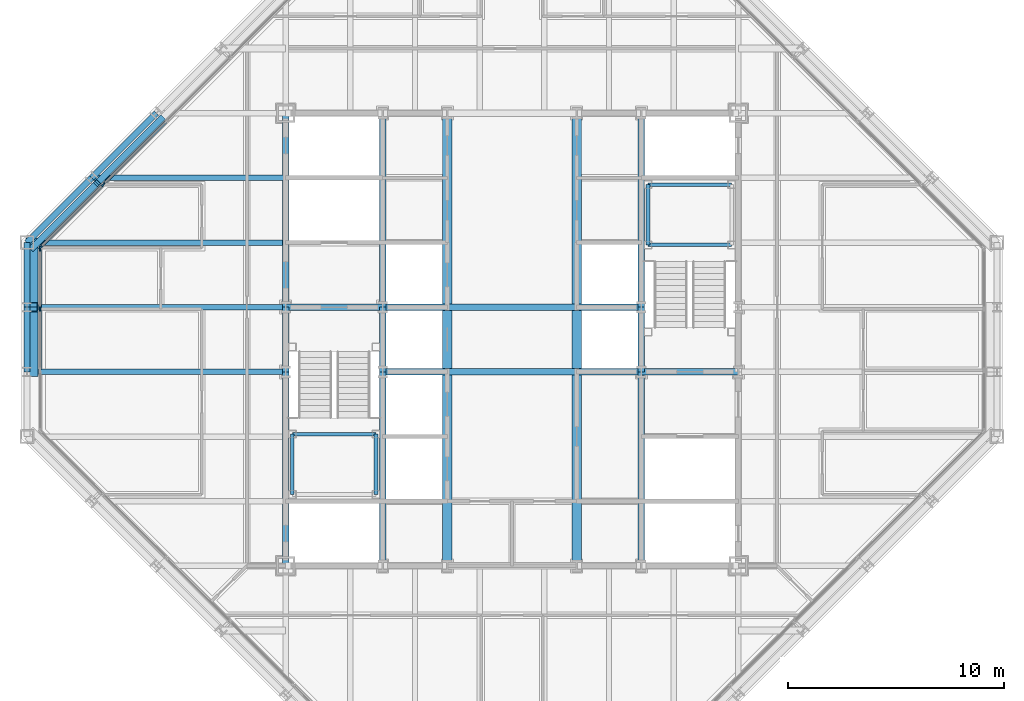
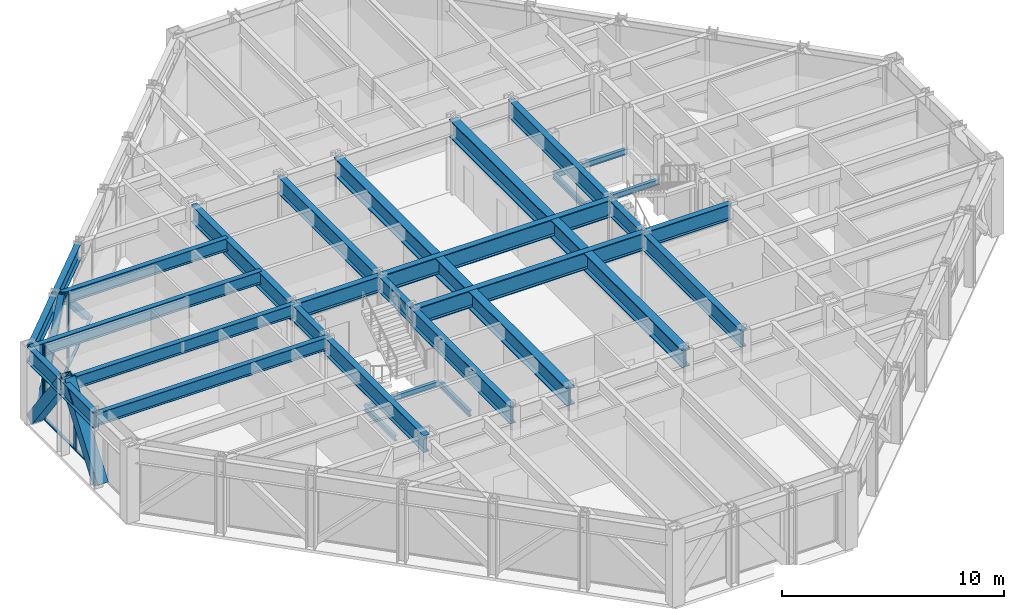
# One storey, part 6 of 15: 33 beams, 12 members, 2 elements without a shape of their own.
"""IFC4 building model written with IfcOpenShell, lengths in metres."""

from ifc_helpers import new_model, si_unit, direction, frame, origin, origin_2d, place, context, subcontext, project, spatial, rectangle, hollow_rectangle, i_section, extrude, material, layer, layer_set, material_profile, profile_set, type_object, element, aggregate, save


model = new_model("IFC4")

# Units and contexts
model_context = context("Model", 3, precision=1e-05, world=origin(), true_north=direction((0.0, 1.0)))
body_context = subcontext(model_context, "Body", "Model", "MODEL_VIEW")
ifc_project = project(units=[si_unit("LENGTHUNIT", "METRE"), si_unit("AREAUNIT", "SQUARE_METRE"), si_unit("VOLUMEUNIT", "CUBIC_METRE"), si_unit("PLANEANGLEUNIT", "RADIAN"), si_unit("MASSUNIT", "GRAM", prefix="KILO")], contexts=[model_context])

# Site, building, storey
site_placement = place(None, origin())
site = spatial("IfcSite", under=ifc_project, at=site_placement, CompositionType="ELEMENT")
building_placement = place(site_placement, origin())
building = spatial("IfcBuilding", under=site, at=building_placement, Name="Chuquiago Exchange Tower", CompositionType="ELEMENT")
storey_placement = place(building_placement, frame((0.0, 0.0, 266.39990234375)))
storey = spatial("IfcBuildingStorey", under=building, at=storey_placement, Name="L59", CompositionType="ELEMENT", Elevation=266.39990234375)

# Beams
ifc_material_1 = material(Name="Steel ASTM A992", Category="steel")
ifc_material_profile_1 = material_profile(ifc_material_1, i_section(OverallWidth=0.25390625, OverallDepth=0.683349609375, WebThickness=0.012451171875, FlangeThickness=0.018798828125, at=origin_2d()), Name="W27X94")
ifc_profile_set_1 = profile_set([ifc_material_profile_1], Name="Steel ASTM A992")
beam_type_1 = type_object("IfcBeamType", Name="B1 W27X94", PredefinedType="BEAM", material=ifc_profile_set_1)
for number, where, z_axis, x_axis, name in (
    (1, (12.0, 21.0, 3.698486328125), (-1.0, 0.0, 0.0), (0.0, -1.0, 0.0), "FB-L60-infill-12_21--0_21-0"),
    (2, (12.0, 24.0, 3.698486328125), (-1.0, 0.0, 0.0), (0.0, -1.0, 0.0), "FB-L60-infill-12_24--0_24-0"),
    (3, (12.0, 27.0, 3.698486328125), (-1.0, 0.0, 0.0), (0.0, -1.0, 0.0), "FB-L60-infill-12_27--0_27-0"),
):
    element("IfcBeam", number, at=place(storey_placement, frame(where, z_axis=z_axis, x_axis=x_axis)), inside=storey, type_object=beam_type_1, Name=name, PredefinedType="BEAM", context=body_context, shape_type="SweptSolid", body=[
        extrude(i_section(OverallWidth=0.25390625, OverallDepth=0.683349609375, WebThickness=0.012451171875, FlangeThickness=0.018798828125, at=origin_2d()), origin(), (0.0, 0.0, 1.0), 12.0),
    ])
beam_1_placement = place(storey_placement, frame((12.0, 30.0, 3.698486328125), z_axis=(-1.0, 0.0, 0.0), x_axis=(0.0, -1.0, 0.0)))
element("IfcBeam", 4, at=beam_1_placement, inside=storey, type_object=beam_type_1, Name="FB-L60-infill-12_30-3_30-0", PredefinedType="BEAM", context=body_context, shape_type="SweptSolid", body=[
    extrude(i_section(OverallWidth=0.25390625, OverallDepth=0.683349609375, WebThickness=0.012451171875, FlangeThickness=0.018798828125, at=origin_2d()), origin(), (0.0, 0.0, 1.0), 9.0),
])
ifc_material_2 = material(Name="Steel ASTM A992", Category="steel")
ifc_material_profile_2 = material_profile(ifc_material_2, i_section(OverallWidth=0.307373046875, OverallDepth=0.927001953125, WebThickness=0.01953125, FlangeThickness=0.031982421875, at=origin_2d()), Name="W36X194")
ifc_profile_set_2 = profile_set([ifc_material_profile_2], Name="Steel ASTM A992")
beam_type_2 = type_object("IfcBeamType", Name="B10 W36X194", PredefinedType="BEAM", material=ifc_profile_set_2)
for number, where, z_axis, x_axis, name in (
    (5, (12.0, 12.0, 3.576416015625), (0.0, 1.0, 0.0), (-1.0, 0.0, 0.0), "CB-L60-12_12-12_21"),
    (6, (12.0, 24.0, 3.576416015625), (0.0, 1.0, 0.0), (-1.0, 0.0, 0.0), "CB-L60-12_24-12_33"),
    (7, (16.5, 12.0, 3.576416015625), (0.0, 1.0, 0.0), (-1.0, 0.0, 0.0), "CB-L60-16.5_12-16.5_21"),
    (8, (16.5, 24.0, 3.576416015625), (0.0, 1.0, 0.0), (-1.0, 0.0, 0.0), "CB-L60-16.5_24-16.5_33"),
    (9, (28.5, 12.0, 3.576416015625), (0.0, 1.0, 0.0), (-1.0, 0.0, 0.0), "CB-L60-28.5_12-28.5_21"),
    (10, (28.5, 24.0, 3.576416015625), (0.0, 1.0, 0.0), (-1.0, 0.0, 0.0), "CB-L60-28.5_24-28.5_33"),
):
    element("IfcBeam", number, at=place(storey_placement, frame(where, z_axis=z_axis, x_axis=x_axis)), inside=storey, type_object=beam_type_2, Name=name, PredefinedType="BEAM", context=body_context, shape_type="SweptSolid", body=[
        extrude(i_section(OverallWidth=0.307373046875, OverallDepth=0.927001953125, WebThickness=0.01953125, FlangeThickness=0.031982421875, at=origin_2d()), origin(), (0.0, 0.0, 1.0), 9.0),
    ])
ifc_material_3 = material(Name="Steel ASTM A992", Category="steel")
ifc_material_profile_3 = material_profile(ifc_material_3, i_section(OverallWidth=0.309814453125, OverallDepth=0.949951171875, WebThickness=0.0244140625, FlangeThickness=0.0439453125, at=origin_2d()), Name="W36X256")
ifc_profile_set_3 = profile_set([ifc_material_profile_3], Name="Steel ASTM A992")
beam_type_3 = type_object("IfcBeamType", Name="B11 W36X256", PredefinedType="BEAM", material=ifc_profile_set_3)
for number, where, z_axis, x_axis, name in (
    (11, (16.5, 21.0, 3.565185546875), (1.0, 0.0, 0.0), (0.0, 1.0, 0.0), "CB-L60-16.5_21-28.5_21"),
    (12, (16.5, 24.0, 3.565185546875), (1.0, 0.0, 0.0), (0.0, 1.0, 0.0), "CB-L60-16.5_24-28.5_24"),
):
    element("IfcBeam", number, at=place(storey_placement, frame(where, z_axis=z_axis, x_axis=x_axis)), inside=storey, type_object=beam_type_3, Name=name, PredefinedType="BEAM", context=body_context, shape_type="SweptSolid", body=[
        extrude(i_section(OverallWidth=0.309814453125, OverallDepth=0.949951171875, WebThickness=0.0244140625, FlangeThickness=0.0439453125, at=origin_2d()), origin(), (0.0, 0.0, 1.0), 12.0),
    ])
ifc_material_4 = material(Name="Steel ASTM A992", Category="steel")
ifc_material_profile_4 = material_profile(ifc_material_4, i_section(OverallWidth=0.4267578125, OverallDepth=0.975341796875, WebThickness=0.031005859375, FlangeThickness=0.055908203125, at=origin_2d()), Name="W36X395")
ifc_profile_set_4 = profile_set([ifc_material_profile_4], Name="Steel ASTM A992")
beam_type_4 = type_object("IfcBeamType", Name="B12 W36X395", PredefinedType="BEAM", material=ifc_profile_set_4)
beam_2_placement = place(storey_placement, frame((19.5, 12.0, 3.552490234375), z_axis=(0.0, 1.0, 0.0), x_axis=(-1.0, 0.0, 0.0)))
element("IfcBeam", 13, at=beam_2_placement, inside=storey, type_object=beam_type_4, Name="CB-L60-19.5_12-19.5_20.8451", PredefinedType="BEAM", context=body_context, shape_type="SweptSolid", body=[
    extrude(i_section(OverallWidth=0.4267578125, OverallDepth=0.975341796875, WebThickness=0.031005859375, FlangeThickness=0.055908203125, at=origin_2d()), origin(), (0.0, 0.0, 1.0), 8.84521484375),
])
beam_3_placement = place(storey_placement, frame((19.5, 21.15478515625, 3.552490234375), z_axis=(0.0, 1.0, 0.0), x_axis=(-1.0, 0.0, 0.0)))
element("IfcBeam", 14, at=beam_3_placement, inside=storey, type_object=beam_type_4, Name="CB-L60-19.5_21.1549-19.5_23.8451", PredefinedType="BEAM", context=body_context, shape_type="SweptSolid", body=[
    extrude(i_section(OverallWidth=0.4267578125, OverallDepth=0.975341796875, WebThickness=0.031005859375, FlangeThickness=0.055908203125, at=origin_2d()), origin(), (0.0, 0.0, 1.0), 2.6904296875),
])
for number, where, z_axis, x_axis, name in (
    (15, (19.5, 24.15478515625, 3.552490234375), (0.0, 1.0, 0.0), (-1.0, 0.0, 0.0), "CB-L60-19.5_24.1549-19.5_33"),
    (16, (25.5, 12.0, 3.552490234375), (0.0, 1.0, 0.0), (-1.0, 0.0, 0.0), "CB-L60-25.5_12-25.5_20.8451"),
):
    element("IfcBeam", number, at=place(storey_placement, frame(where, z_axis=z_axis, x_axis=x_axis)), inside=storey, type_object=beam_type_4, Name=name, PredefinedType="BEAM", context=body_context, shape_type="SweptSolid", body=[
        extrude(i_section(OverallWidth=0.4267578125, OverallDepth=0.975341796875, WebThickness=0.031005859375, FlangeThickness=0.055908203125, at=origin_2d()), origin(), (0.0, 0.0, 1.0), 8.84521484375),
    ])
beam_4_placement = place(storey_placement, frame((25.5, 21.15478515625, 3.552490234375), z_axis=(0.0, 1.0, 0.0), x_axis=(-1.0, 0.0, 0.0)))
element("IfcBeam", 17, at=beam_4_placement, inside=storey, type_object=beam_type_4, Name="CB-L60-25.5_21.1549-25.5_23.8451", PredefinedType="BEAM", context=body_context, shape_type="SweptSolid", body=[
    extrude(i_section(OverallWidth=0.4267578125, OverallDepth=0.975341796875, WebThickness=0.031005859375, FlangeThickness=0.055908203125, at=origin_2d()), origin(), (0.0, 0.0, 1.0), 2.6904296875),
])
beam_5_placement = place(storey_placement, frame((25.5, 24.15478515625, 3.552490234375), z_axis=(0.0, 1.0, 0.0), x_axis=(-1.0, 0.0, 0.0)))
element("IfcBeam", 18, at=beam_5_placement, inside=storey, type_object=beam_type_4, Name="CB-L60-25.5_24.1549-25.5_33", PredefinedType="BEAM", context=body_context, shape_type="SweptSolid", body=[
    extrude(i_section(OverallWidth=0.4267578125, OverallDepth=0.975341796875, WebThickness=0.031005859375, FlangeThickness=0.055908203125, at=origin_2d()), origin(), (0.0, 0.0, 1.0), 8.84521484375),
])
ifc_material_5 = material(Name="Steel ASTM A992", Category="steel")
ifc_material_profile_5 = material_profile(ifc_material_5, i_section(OverallWidth=0.2919921875, OverallDepth=0.8583984375, WebThickness=0.01708984375, FlangeThickness=0.031005859375, at=origin_2d()), Name="W33X169")
ifc_profile_set_5 = profile_set([ifc_material_profile_5], Name="Steel ASTM A992")
beam_type_5 = type_object("IfcBeamType", Name="B3 W33X169", PredefinedType="BEAM", material=ifc_profile_set_5)
for number, where, z_axis, x_axis, name in (
    (19, (12.0, 21.0, 3.61083984375), (0.0, 1.0, 0.0), (-1.0, 0.0, 0.0), "CB-L60-12_21-12_24"),
    (20, (16.5, 21.0, 3.61083984375), (0.0, 1.0, 0.0), (-1.0, 0.0, 0.0), "CB-L60-16.5_21-16.5_24"),
    (21, (28.5, 21.0, 3.61083984375), (0.0, 1.0, 0.0), (-1.0, 0.0, 0.0), "CB-L60-28.5_21-28.5_24"),
):
    element("IfcBeam", number, at=place(storey_placement, frame(where, z_axis=z_axis, x_axis=x_axis)), inside=storey, type_object=beam_type_5, Name=name, PredefinedType="BEAM", context=body_context, shape_type="SweptSolid", body=[
        extrude(i_section(OverallWidth=0.2919921875, OverallDepth=0.8583984375, WebThickness=0.01708984375, FlangeThickness=0.031005859375, at=origin_2d()), origin(), (0.0, 0.0, 1.0), 3.0),
    ])
for number, where, z_axis, x_axis, name in (
    (22, (28.5, 21.0, 3.61083984375), (1.0, 0.0, 0.0), (0.0, 1.0, 0.0), "CB-L60-28.5_21-33_21"),
    (23, (12.0, 24.0, 3.61083984375), (1.0, 0.0, 0.0), (0.0, 1.0, 0.0), "CB-L60-12_24-16.5_24"),
):
    element("IfcBeam", number, at=place(storey_placement, frame(where, z_axis=z_axis, x_axis=x_axis)), inside=storey, type_object=beam_type_5, Name=name, PredefinedType="BEAM", context=body_context, shape_type="SweptSolid", body=[
        extrude(i_section(OverallWidth=0.2919921875, OverallDepth=0.8583984375, WebThickness=0.01708984375, FlangeThickness=0.031005859375, at=origin_2d()), origin(), (0.0, 0.0, 1.0), 4.5),
    ])

# Curtain wall, members
ifc_material_6 = material(Name="Aluminium curtain wall system", Category="aluminium")
ifc_layer_1 = layer(ifc_material_6, 0.22509765625)
ifc_layer_set_1 = layer_set([ifc_layer_1], Name="CW2 office curtain wall")
curtain_wall_type_1 = type_object("IfcCurtainWallType", Name="CW2 office curtain wall", PredefinedType="NOTDEFINED", material=ifc_layer_set_1)
curtain_wall_1_placement = place(storey_placement, origin())
curtain_wall_1 = element("IfcCurtainWall", 24, at=curtain_wall_1_placement, inside=storey, type_object=curtain_wall_type_1, Name="CW2 curtain wall L59", PredefinedType="NOTDEFINED")
ifc_material_7 = material(Name="Aluminium mullion, pale anodised", Category="aluminium")
ifc_material_profile_6 = material_profile(ifc_material_7, rectangle(XDim=0.06494140625, YDim=0.22509765625, at=origin_2d()), Name="AL 65x225")
ifc_profile_set_6 = profile_set([ifc_material_profile_6], Name="Aluminium mullion, pale anodised")
member_type_1 = type_object("IfcMemberType", Name="CW2-M mullion 65x225", PredefinedType="MULLION", material=ifc_profile_set_6)
member_1_placement = place(storey_placement, frame((0.60009765625, 26.718994140625, 0.0), z_axis=(0.0, 0.0, 1.0), x_axis=(1.0, 0.0, 0.0)))
member_1 = element("IfcMember", 25, at=member_1_placement, type_object=member_type_1, Name="CW2 mullion 1", PredefinedType="MULLION", context=body_context, shape_type="SweptSolid", body=[
    extrude(rectangle(XDim=0.06494140625, YDim=0.22509765625, at=origin_2d()), origin(), (0.0, 0.0, 1.0), 4.0400390625),
])
member_2_placement = place(storey_placement, frame((0.60009765625, 23.917236328125, 0.0), z_axis=(0.0, 0.0, 1.0), x_axis=(1.0, 0.0, 0.0)))
member_2 = element("IfcMember", 26, at=member_2_placement, type_object=member_type_1, Name="CW2 mullion 2", PredefinedType="MULLION", context=body_context, shape_type="SweptSolid", body=[
    extrude(rectangle(XDim=0.06494140625, YDim=0.22509765625, at=origin_2d()), origin(), (0.0, 0.0, 1.0), 4.0400390625),
])
ifc_material_8 = material(Name="Aluminium transom, pale anodised", Category="aluminium")
ifc_material_profile_7 = material_profile(ifc_material_8, rectangle(XDim=0.139892578125, YDim=0.06494140625, at=origin_2d()), Name="AL 140x65")
ifc_profile_set_7 = profile_set([ifc_material_profile_7], Name="Aluminium transom, pale anodised")
member_type_2 = type_object("IfcMemberType", Name="CW2-T transom 65x140", PredefinedType="MULLION", material=ifc_profile_set_7)
member_3_placement = place(storey_placement, frame((0.60009765625, 26.6865234375, 0.03271484375), z_axis=(0.0, -1.0, 0.0), x_axis=(1.0, 0.0, 0.0)))
member_3 = element("IfcMember", 27, at=member_3_placement, type_object=member_type_2, Name="CW2 transom 1.1", PredefinedType="MULLION", context=body_context, shape_type="SweptSolid", body=[
    extrude(rectangle(XDim=0.139892578125, YDim=0.06494140625, at=origin_2d()), origin(), (0.0, 0.0, 1.0), 2.73681640625),
])
member_4_placement = place(storey_placement, frame((0.60009765625, 23.884765625, 0.03271484375), z_axis=(0.0, -1.0, 0.0), x_axis=(1.0, 0.0, 0.0)))
member_4 = element("IfcMember", 28, at=member_4_placement, type_object=member_type_2, Name="CW2 transom 2.1", PredefinedType="MULLION", context=body_context, shape_type="SweptSolid", body=[
    extrude(rectangle(XDim=0.139892578125, YDim=0.06494140625, at=origin_2d()), origin(), (0.0, 0.0, 1.0), 2.76953125),
])
aggregate(curtain_wall_1, [member_1, member_2, member_3, member_4])

ifc_material_9 = material(Name="Aluminium curtain wall system", Category="aluminium")
ifc_layer_2 = layer(ifc_material_9, 0.199951171875)
ifc_layer_set_2 = layer_set([ifc_layer_2], Name="CW3 facet curtain wall")
curtain_wall_type_2 = type_object("IfcCurtainWallType", Name="CW3 facet curtain wall", PredefinedType="NOTDEFINED", material=ifc_layer_set_2)
curtain_wall_2_placement = place(storey_placement, origin())
curtain_wall_2 = element("IfcCurtainWall", 29, at=curtain_wall_2_placement, inside=storey, type_object=curtain_wall_type_2, Name="CW3 curtain wall L59", PredefinedType="NOTDEFINED")
ifc_material_10 = material(Name="Aluminium mullion, pale anodised", Category="aluminium")
ifc_material_profile_8 = material_profile(ifc_material_10, rectangle(XDim=0.06494140625, YDim=0.199951171875, at=origin_2d()), Name="AL 65x200")
ifc_profile_set_8 = profile_set([ifc_material_profile_8], Name="Aluminium mullion, pale anodised")
member_type_3 = type_object("IfcMemberType", Name="CW3-M mullion 65x200", PredefinedType="MULLION", material=ifc_profile_set_8)
member_5_placement = place(storey_placement, frame((3.54150390625, 29.69287109375, 0.0), z_axis=(0.0, 0.0, 1.0), x_axis=(0.707106781187, -0.707106781187, 0.0)))
member_5 = element("IfcMember", 30, at=member_5_placement, type_object=member_type_3, Name="CW3 mullion 6", PredefinedType="MULLION", context=body_context, shape_type="SweptSolid", body=[
    extrude(rectangle(XDim=0.06494140625, YDim=0.199951171875, at=origin_2d()), origin(), (0.0, 0.0, 1.0), 4.0400390625),
])
member_6_placement = place(storey_placement, frame((0.623046875, 26.7744140625, 0.0), z_axis=(0.0, 0.0, 1.0), x_axis=(0.707106781187, -0.707106781187, 0.0)))
member_6 = element("IfcMember", 31, at=member_6_placement, type_object=member_type_3, Name="CW3 mullion 7", PredefinedType="MULLION", context=body_context, shape_type="SweptSolid", body=[
    extrude(rectangle(XDim=0.06494140625, YDim=0.199951171875, at=origin_2d()), origin(), (0.0, 0.0, 1.0), 4.0400390625),
])
ifc_material_11 = material(Name="Aluminium transom, pale anodised", Category="aluminium")
ifc_material_profile_9 = material_profile(ifc_material_11, rectangle(XDim=0.139892578125, YDim=0.06494140625, at=origin_2d()), Name="AL 140x65")
ifc_profile_set_9 = profile_set([ifc_material_profile_9], Name="Aluminium transom, pale anodised")
member_type_4 = type_object("IfcMemberType", Name="CW3-T transom 65x140", PredefinedType="MULLION", material=ifc_profile_set_9)
member_7_placement = place(storey_placement, frame((6.4599609375, 32.611328125, 0.03271484375), z_axis=(-0.707106781187, -0.707106781187, 0.0), x_axis=(0.707106781187, -0.707106781187, 0.0)))
member_7 = element("IfcMember", 32, at=member_7_placement, type_object=member_type_4, Name="CW3 transom 5.1", PredefinedType="MULLION", context=body_context, shape_type="SweptSolid", body=[
    extrude(rectangle(XDim=0.139892578125, YDim=0.06494140625, at=origin_2d()), origin(), (0.0, 0.0, 1.0), 4.094970703125),
])
member_8_placement = place(storey_placement, frame((3.5185546875, 29.669921875, 0.03271484375), z_axis=(-0.707106781187, -0.707106781187, 0.0), x_axis=(0.707106781187, -0.707106781187, 0.0)))
member_8 = element("IfcMember", 33, at=member_8_placement, type_object=member_type_4, Name="CW3 transom 6.1", PredefinedType="MULLION", context=body_context, shape_type="SweptSolid", body=[
    extrude(rectangle(XDim=0.139892578125, YDim=0.06494140625, at=origin_2d()), origin(), (0.0, 0.0, 1.0), 4.0625),
])
aggregate(curtain_wall_2, [member_5, member_6, member_7, member_8])

# Members
ifc_material_12 = material(Name="Steel ASTM A500 Grade C", Category="steel")
ifc_material_profile_10 = material_profile(ifc_material_12, hollow_rectangle(XDim=0.3046875, YDim=0.3046875, WallThickness=0.0146484375, at=origin_2d()), Name="HSS12X12X5/8")
ifc_profile_set_10 = profile_set([ifc_material_profile_10], Name="Steel ASTM A500 Grade C")
member_type_5 = type_object("IfcMemberType", Name="LB3 HSS12X12X5/8", PredefinedType="BRACE", material=ifc_profile_set_10)
for number, where, z_axis, x_axis, name in (
    (34, (6.249267578125, 32.750732421875, 0.0), (-0.512077265487, -0.512077265487, 0.689604051861), (0.707106781187, -0.707106781187, 0.0), "LB-L59-6_33-3_30"),
    (35, (0.249267578125, 26.750732421875, 0.0), (0.512077265487, 0.512077265487, 0.689604051861), (-0.707106781187, 0.707106781187, 0.0), "LB-L59-3_30-0_27"),
):
    element("IfcMember", number, at=place(storey_placement, frame(where, z_axis=z_axis, x_axis=x_axis)), inside=storey, type_object=member_type_5, Name=name, PredefinedType="BRACE", context=body_context, shape_type="SweptSolid", body=[
        extrude(hollow_rectangle(XDim=0.3046875, YDim=0.3046875, WallThickness=0.0146484375, at=origin_2d()), origin(), (0.0, 0.0, 1.0), 5.8583984375),
    ])

# Beams
ifc_material_13 = material(Name="Steel ASTM A992", Category="steel")
ifc_material_profile_11 = material_profile(ifc_material_13, i_section(OverallWidth=0.164794921875, OverallDepth=0.309814453125, WebThickness=0.005859375, FlangeThickness=0.009765625, at=origin_2d()), Name="W12X26")
ifc_profile_set_11 = profile_set([ifc_material_profile_11], Name="Steel ASTM A992")
beam_type_6 = type_object("IfcBeamType", Name="LS1 W12X26", PredefinedType="BEAM", material=ifc_profile_set_11)
for number, where, z_axis, x_axis, name in (
    (36, (12.31005859375, 15.31005859375, 1.7451171875), (0.0, 1.0, 0.0), (-1.0, 0.0, 0.0), "Stair ST1 L59 landing 1 stringer"),
    (37, (16.18994140625, 15.31005859375, 1.7451171875), (0.0, 1.0, 0.0), (-1.0, 0.0, 0.0), "Stair ST1 L59 landing 1 stringer"),
    (38, (28.81005859375, 26.889892578125, 1.7451171875), (0.0, 1.0, 0.0), (-1.0, 0.0, 0.0), "Stair ST2 L59 landing 1 stringer"),
):
    element("IfcBeam", number, at=place(storey_placement, frame(where, z_axis=z_axis, x_axis=x_axis)), inside=storey, type_object=beam_type_6, Name=name, PredefinedType="BEAM", context=body_context, shape_type="SweptSolid", body=[
        extrude(i_section(OverallWidth=0.164794921875, OverallDepth=0.309814453125, WebThickness=0.005859375, FlangeThickness=0.009765625, at=origin_2d()), origin(), (0.0, 0.0, 1.0), 2.800048828125),
    ])
ifc_material_14 = material(Name="Steel ASTM A992", Category="steel")
ifc_material_profile_12 = material_profile(ifc_material_14, i_section(OverallWidth=0.164794921875, OverallDepth=0.309814453125, WebThickness=0.005859375, FlangeThickness=0.009765625, at=origin_2d()), Name="W12X26")
ifc_profile_set_12 = profile_set([ifc_material_profile_12], Name="Steel ASTM A992")
beam_type_7 = type_object("IfcBeamType", Name="LT1 W12X26", PredefinedType="BEAM", material=ifc_profile_set_12)
for number, where, z_axis, x_axis, name in (
    (39, (12.31005859375, 18.110107421875, 1.7451171875), (1.0, 0.0, 0.0), (0.0, 1.0, 0.0), "Stair ST1 L59 landing 1 trimmer"),
    (40, (28.81005859375, 29.68994140625, 1.7451171875), (1.0, 0.0, 0.0), (0.0, 1.0, 0.0), "Stair ST2 L59 landing 1 trimmer"),
    (41, (28.81005859375, 26.889892578125, 1.7451171875), (1.0, 0.0, 0.0), (0.0, 1.0, 0.0), "Stair ST2 L59 landing 1 trimmer"),
):
    element("IfcBeam", number, at=place(storey_placement, frame(where, z_axis=z_axis, x_axis=x_axis)), inside=storey, type_object=beam_type_7, Name=name, PredefinedType="BEAM", context=body_context, shape_type="SweptSolid", body=[
        extrude(i_section(OverallWidth=0.164794921875, OverallDepth=0.309814453125, WebThickness=0.005859375, FlangeThickness=0.009765625, at=origin_2d()), origin(), (0.0, 0.0, 1.0), 3.8798828125),
    ])

# Members
ifc_material_15 = material(Name="Steel ASTM A572 Grade 50", Category="steel")
ifc_material_profile_13 = material_profile(ifc_material_15, hollow_rectangle(XDim=0.550048828125, YDim=0.550048828125, WallThickness=0.044921875, at=origin_2d()), Name="BOX550X550X45")
ifc_profile_set_13 = profile_set([ifc_material_profile_13], Name="Steel ASTM A572 Grade 50")
member_type_6 = type_object("IfcMemberType", Name="MB4 BOX550X550X45", PredefinedType="BRACE", material=ifc_profile_set_13)
for number, where, z_axis, x_axis, name in (
    (42, (0.22998046875, 27.0, 0.0), (0.0, -0.596173923302, 0.802855312728), (1.0, 0.0, 0.0), "Mega diagonal L59 W face"),
    (43, (0.22998046875, 21.0, 0.0), (0.0, 0.596173923302, 0.802855312728), (-1.0, 0.0, 0.0), "Mega diagonal L59 W face"),
):
    element("IfcMember", number, at=place(storey_placement, frame(where, z_axis=z_axis, x_axis=x_axis)), inside=storey, type_object=member_type_6, Name=name, PredefinedType="BRACE", context=body_context, shape_type="SweptSolid", body=[
        extrude(hollow_rectangle(XDim=0.550048828125, YDim=0.550048828125, WallThickness=0.044921875, at=origin_2d()), origin(), (0.0, 0.0, 1.0), 5.031982421875),
    ])

# Beams
ifc_material_16 = material(Name="Steel ASTM A992", Category="steel")
ifc_material_profile_14 = material_profile(ifc_material_16, i_section(OverallWidth=0.2919921875, OverallDepth=0.8583984375, WebThickness=0.01708984375, FlangeThickness=0.031005859375, at=origin_2d()), Name="W33X169")
ifc_profile_set_14 = profile_set([ifc_material_profile_14], Name="Steel ASTM A992")
beam_type_8 = type_object("IfcBeamType", Name="SP4 W33X169", PredefinedType="SPANDREL", material=ifc_profile_set_14)
for number, where, z_axis, x_axis, name in (
    (44, (6.0, 33.0, 3.61083984375), (-0.707106781187, -0.707106781187, 0.0), (0.707106781187, -0.707106781187, 0.0), "SPB-L60-6_33-3_30"),
    (45, (3.0, 30.0, 3.61083984375), (-0.707106781187, -0.707106781187, 0.0), (0.707106781187, -0.707106781187, 0.0), "SPB-L60-3_30-0_27"),
):
    element("IfcBeam", number, at=place(storey_placement, frame(where, z_axis=z_axis, x_axis=x_axis)), inside=storey, type_object=beam_type_8, Name=name, PredefinedType="SPANDREL", context=body_context, shape_type="SweptSolid", body=[
        extrude(i_section(OverallWidth=0.2919921875, OverallDepth=0.8583984375, WebThickness=0.01708984375, FlangeThickness=0.031005859375, at=origin_2d()), origin(), (0.0, 0.0, 1.0), 4.24267578125),
    ])
for number, where, z_axis, x_axis, name in (
    (46, (0.0, 27.0, 3.61083984375), (0.0, -1.0, 0.0), (1.0, 0.0, 0.0), "SPB-L60-0_27-0_24"),
    (47, (0.0, 24.0, 3.61083984375), (0.0, -1.0, 0.0), (1.0, 0.0, 0.0), "SPB-L60-0_24-0_21"),
):
    element("IfcBeam", number, at=place(storey_placement, frame(where, z_axis=z_axis, x_axis=x_axis)), inside=storey, type_object=beam_type_8, Name=name, PredefinedType="SPANDREL", context=body_context, shape_type="SweptSolid", body=[
        extrude(i_section(OverallWidth=0.2919921875, OverallDepth=0.8583984375, WebThickness=0.01708984375, FlangeThickness=0.031005859375, at=origin_2d()), origin(), (0.0, 0.0, 1.0), 3.0),
    ])

save(model, "model.ifc")
